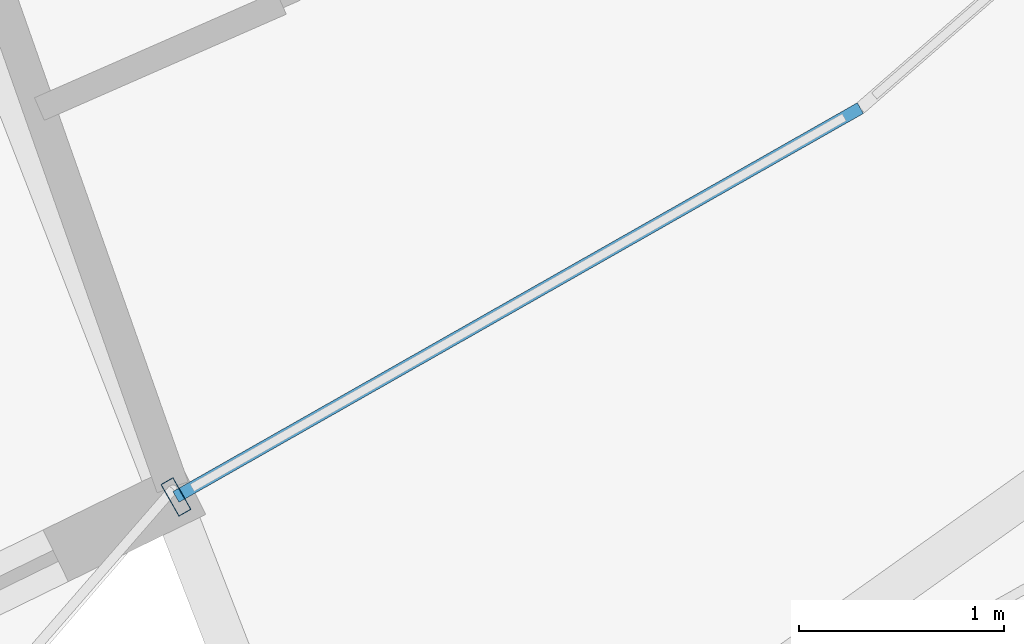
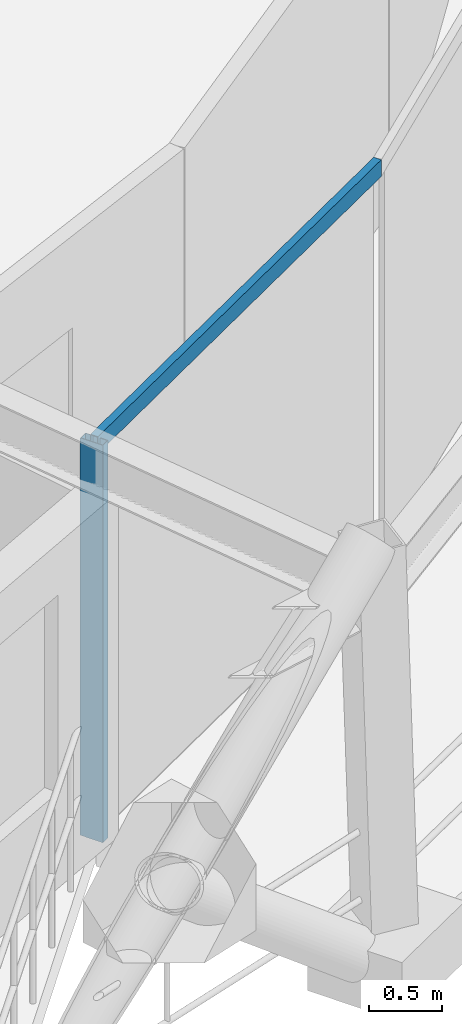
# One storey, part 2 of 15: 2 members, 1 element without a shape of its own.
"""IFC4 building model written with IfcOpenShell, lengths in metres."""

import ifcopenshell
import ifcopenshell.guid

model = None  # the IFC model being written
_history = None  # IfcOwnerHistory: only IFC2X3 demands one
_inside = {}  # id of a spatial element -> (the spatial element, [elements in it])
_under = {}  # id of a project, library or spatial element -> (it, [spatial elements below it])
_declared = {}  # id of a project -> (the project, [libraries it declares])
_typed = {}  # id of a type object -> (the type object, [elements of that type])
_made_of = {}  # id of a material, layer set ... -> (it, [elements and type objects made of it])


def new_model(schema):
    """Start an empty IFC model of exactly this schema.

    Asked for "IFC4X3", IfcOpenShell would pick the latest addendum, in which some entities
    have other attributes; the version numbers below select the first issue.
    IFC2X3 requires an IfcOwnerHistory on every rooted entity: one is made here for all.
    """
    global model, _history
    if schema == "IFC4X3":
        model = ifcopenshell.file(schema_version=(4, 3, 0, 0))
    else:
        model = ifcopenshell.file(schema=schema)
    _inside.clear()
    _under.clear()
    _declared.clear()
    _typed.clear()
    _made_of.clear()
    _history = None
    if model.schema == "IFC2X3":
        org = make("IfcOrganization", Name="unknown")
        user = make(
            "IfcPersonAndOrganization",
            ThePerson=make("IfcPerson", FamilyName="unknown"),
            TheOrganization=org,
        )
        app = make(
            "IfcApplication",
            ApplicationDeveloper=org,
            Version="unknown",
            ApplicationFullName="unknown",
            ApplicationIdentifier="unknown",
        )
        _history = make(
            "IfcOwnerHistory",
            OwningUser=user,
            OwningApplication=app,
            ChangeAction="ADDED",
            CreationDate=0,
        )
    return model


def make(cls, **values):
    """One entity of the class cls with the attributes given. An attribute that is None is left unset."""
    return model.create_entity(
        cls, **{name: value for name, value in values.items() if value is not None}
    )


def rooted(cls, **values):
    """An entity with a GlobalId (a new one), such as an element, a storey or a relation."""
    return make(cls, GlobalId=ifcopenshell.guid.new(), OwnerHistory=_history, **values)


def si_unit(unit_type, name, prefix=None):
    """IfcSIUnit, for example si_unit("LENGTHUNIT", "METRE", prefix="MILLI")."""
    return make("IfcSIUnit", UnitType=unit_type, Prefix=prefix, Name=name)


def assignment(units):
    """IfcUnitAssignment: the units of a project."""
    return None if units is None else make("IfcUnitAssignment", Units=units)


def point(xyz):
    """IfcCartesianPoint."""
    return None if xyz is None else make("IfcCartesianPoint", Coordinates=xyz)


def direction(xyz):
    """IfcDirection."""
    return None if xyz is None else make("IfcDirection", DirectionRatios=xyz)


def frame(location, z_axis=None, x_axis=None):
    """IfcAxis2Placement3D, a coordinate frame: its origin and axes. An axis left out is left unset."""
    return make(
        "IfcAxis2Placement3D",
        Location=point(location),
        Axis=direction(z_axis),
        RefDirection=direction(x_axis),
    )


def frame_2d(location, x_axis=None):
    """IfcAxis2Placement2D, a coordinate frame in the plane: its origin and x axis."""
    return make(
        "IfcAxis2Placement2D", Location=point(location), RefDirection=direction(x_axis)
    )


def origin():
    """The frame at (0, 0, 0) with its axes left unset."""
    return frame((0.0, 0.0, 0.0))


def origin_2d():
    """The frame at (0, 0) in the plane with its x axis left unset."""
    return frame_2d((0.0, 0.0))


def place(relative_to, where):
    """IfcLocalPlacement: puts the frame where relative to a parent placement (None: the world)."""
    return make(
        "IfcLocalPlacement", PlacementRelTo=relative_to, RelativePlacement=where
    )


def context(
    kind, dimensions, precision=None, world=None, true_north=None, identifier=None
):
    """IfcGeometricRepresentationContext, for example the 3D "Model" context."""
    return make(
        "IfcGeometricRepresentationContext",
        ContextIdentifier=identifier,
        ContextType=kind,
        CoordinateSpaceDimension=dimensions,
        Precision=precision,
        WorldCoordinateSystem=world,
        TrueNorth=true_north,
    )


def subcontext(parent, identifier, kind, view, scale=None):
    """IfcGeometricRepresentationSubContext, for example "Body" below "Model"."""
    return make(
        "IfcGeometricRepresentationSubContext",
        ContextIdentifier=identifier,
        ContextType=kind,
        ParentContext=parent,
        TargetScale=scale,
        TargetView=view,
    )


def project(units=None, contexts=None):
    """IfcProject with its units and contexts."""
    return rooted(
        "IfcProject",
        Name="project",
        RepresentationContexts=contexts,
        UnitsInContext=assignment(units),
    )


def spatial(cls, under=None, at=None, **own):
    """A site, building, storey or space (cls), placed at a placement, below another one or the project."""
    s = rooted(cls, ObjectPlacement=at, **own)
    if under is not None:
        _under.setdefault(under.id(), (under, []))[1].append(s)
    return s


def profile(cls, at=None, kind="AREA", **sizes):
    """A parametric profile (cls). Its sizes go by their IFC names, for example OverallWidth=200.0."""
    return make(cls, ProfileType=kind, Position=at, **sizes)


def hollow_rectangle(**sizes):
    """IfcRectangleHollowProfileDef."""
    return profile("IfcRectangleHollowProfileDef", **sizes)


def extrude(swept, where, along, depth):
    """IfcExtrudedAreaSolid: the profile swept, set in the frame where, extruded along a direction by depth."""
    return make(
        "IfcExtrudedAreaSolid",
        SweptArea=swept,
        Position=where,
        ExtrudedDirection=direction(along),
        Depth=depth,
    )


def shape(context_of_items, identifier, shape_type, items):
    """IfcShapeRepresentation: the items that make up one representation, for example the "Body"."""
    return make(
        "IfcShapeRepresentation",
        ContextOfItems=context_of_items,
        RepresentationIdentifier=identifier,
        RepresentationType=shape_type,
        Items=items,
    )


def material(Name=None, Category=None):
    """IfcMaterial."""
    return make("IfcMaterial", Name=Name, Category=Category)


def layer(
    of_material, thickness, ventilated=None, Name=None, Category=None, Priority=None
):
    """IfcMaterialLayer: one layer of a wall or slab, of a material (None: an air gap)."""
    return make(
        "IfcMaterialLayer",
        Material=of_material,
        LayerThickness=thickness,
        IsVentilated=ventilated,
        Name=Name,
        Category=Category,
        Priority=Priority,
    )


def layer_set(layers, Name=None):
    """IfcMaterialLayerSet."""
    return make("IfcMaterialLayerSet", MaterialLayers=layers, LayerSetName=Name)


def material_profile(
    of_material, cross_section, Name=None, Category=None, Priority=None
):
    """IfcMaterialProfile: a cross section and its material."""
    return make(
        "IfcMaterialProfile",
        Name=Name,
        Material=of_material,
        Profile=cross_section,
        Priority=Priority,
        Category=Category,
    )


def profile_set(profiles, Name=None, composite=None):
    """IfcMaterialProfileSet."""
    return make(
        "IfcMaterialProfileSet",
        Name=Name,
        MaterialProfiles=profiles,
        CompositeProfile=composite,
    )


def made_of(thing, what):
    """Note that an element or type object is made of a material, layer set ...; save() writes the relation."""
    if what is not None:
        _made_of.setdefault(what.id(), (what, []))[1].append(thing)
    return thing


def type_object(cls, material=None, **own):
    """A type object (cls), such as IfcWallType, which elements share."""
    return made_of(rooted(cls, **own), material)


def element(
    cls,
    number,
    at=None,
    inside=None,
    cuts=None,
    type_object=None,
    material=None,
    context=None,
    identifier="Body",
    shape_type=None,
    held_by="IfcProductDefinitionShape",
    body=None,
    shapes=None,
    **own,
):
    """One element of the class cls, such as IfcWall. Its Tag is "e" and its number.

    at: its placement. inside: the storey or other place that contains it. cuts: it is an
    opening in that element (IfcRelVoidsElement). A single representation is given by context,
    identifier, shape_type and body (its items); several are given by shapes. held_by: the class
    of the entity that holds the representations. save() writes the other relations.
    """
    e = rooted(cls, Tag="e%d" % number, ObjectPlacement=at, **own)
    if body is not None:
        shapes = [shape(context, identifier, shape_type, body)]
    if shapes is not None:
        e.Representation = make(held_by, Representations=shapes)
    if inside is not None:
        _inside.setdefault(inside.id(), (inside, []))[1].append(e)
    if cuts is not None:
        rooted(
            "IfcRelVoidsElement", RelatingBuildingElement=cuts, RelatedOpeningElement=e
        )
    if type_object is not None:
        _typed.setdefault(type_object.id(), (type_object, []))[1].append(e)
    return made_of(e, material)


def aggregate(whole, parts):
    """IfcRelAggregates: a whole, such as a stair, and the parts it consists of."""
    return rooted("IfcRelAggregates", RelatingObject=whole, RelatedObjects=parts)


def save(model, path):
    """Write the relations noted so far, then the file.

    IfcRelAggregates (storeys below a building ...), IfcRelContainedInSpatialStructure (elements
    in a storey), IfcRelDefinesByType, IfcRelAssociatesMaterial and IfcRelDeclares: one each for
    every whole, place, type object, material and project.
    """
    for whole, parts in _under.values():
        aggregate(whole, parts)
    for where, things in _inside.values():
        rooted(
            "IfcRelContainedInSpatialStructure",
            RelatedElements=things,
            RelatingStructure=where,
        )
    for kind, things in _typed.values():
        rooted("IfcRelDefinesByType", RelatedObjects=things, RelatingType=kind)
    for what, things in _made_of.values():
        rooted("IfcRelAssociatesMaterial", RelatedObjects=things, RelatingMaterial=what)
    for by, libraries in _declared.values():
        rooted("IfcRelDeclares", RelatingContext=by, RelatedDefinitions=libraries)
    model.write(path)


model = new_model("IFC4")

# Units and contexts
model_context = context("Model", 3, precision=1e-05, world=origin(), true_north=direction((0.0, 1.0)))
body_context = subcontext(model_context, "Body", "Model", "MODEL_VIEW")
ifc_project = project(units=[si_unit("LENGTHUNIT", "METRE"), si_unit("AREAUNIT", "SQUARE_METRE"), si_unit("VOLUMEUNIT", "CUBIC_METRE"), si_unit("PLANEANGLEUNIT", "RADIAN"), si_unit("MASSUNIT", "GRAM", prefix="KILO")], contexts=[model_context])

# Site, building, storey
site_placement = place(None, origin())
site = spatial("IfcSite", under=ifc_project, at=site_placement, CompositionType="ELEMENT")
building_placement = place(site_placement, origin())
building = spatial("IfcBuilding", under=site, at=building_placement, Name="Veldorina Hangang Commons", CompositionType="ELEMENT")
storey_placement = place(building_placement, frame((0.0, 0.0, 265.199951171875)))
storey = spatial("IfcBuildingStorey", under=building, at=storey_placement, Name="L69", CompositionType="ELEMENT", Elevation=265.199951171875)

# Curtain wall, members
ifc_material_1 = material(Name="Glass Low-E Selective", Category="glass")
ifc_layer = layer(ifc_material_1, 0.179931640625)
ifc_layer_set = layer_set([ifc_layer], Name="Glass Low-E Selective")
curtain_wall_type = type_object("IfcCurtainWallType", Name="CW-SYS-Z3", PredefinedType="NOTDEFINED", material=ifc_layer_set)
curtain_wall_placement = place(storey_placement, origin())
curtain_wall = element("IfcCurtainWall", 1, at=curtain_wall_placement, inside=storey, type_object=curtain_wall_type, Name="L69 unitised curtain wall CW-L69-R1", PredefinedType="NOTDEFINED")
ifc_material_2 = material(Name="Aluminium Anodized AA6063-T6", Category="aluminium")
ifc_material_profile_1 = material_profile(ifc_material_2, hollow_rectangle(XDim=0.070068359375, YDim=0.179931640625, WallThickness=0.00390625, at=origin_2d()), Name="ALU-RHS-180x70x4")
ifc_profile_set_1 = profile_set([ifc_material_profile_1], Name="Aluminium Anodized AA6063-T6")
member_type_1 = type_object("IfcMemberType", Name="CW-MUL-180", PredefinedType="MULLION", material=ifc_profile_set_1)
member_1_placement = place(storey_placement, frame((39.376708984375, 5.070556640625, 0.0), z_axis=(0.0, 0.0, 1.0), x_axis=(0.869469065578, 0.493987392555, 0.0)))
member_1 = element("IfcMember", 2, at=member_1_placement, type_object=member_type_1, Name="CW-L69-R1 vertical mullion 1", PredefinedType="MULLION", context=body_context, shape_type="SweptSolid", body=[
    extrude(hollow_rectangle(XDim=0.070068359375, YDim=0.179931640625, WallThickness=0.00390625, at=origin_2d()), origin(), (0.0, 0.0, 1.0), 3.320068359375),
])
ifc_material_profile_2 = material_profile(ifc_material_2, hollow_rectangle(XDim=0.06005859375, YDim=0.139892578125, WallThickness=0.00341796875, at=origin_2d()), Name="ALU-RHS-140x60x3.5")
ifc_profile_set_2 = profile_set([ifc_material_profile_2], Name="Aluminium Anodized AA6063-T6")
member_type_2 = type_object("IfcMemberType", Name="CW-TRN-140", PredefinedType="USERDEFINED", material=ifc_profile_set_2)
member_2_placement = place(storey_placement, frame((39.376708984375, 5.070556640625, 3.280029296875), z_axis=(0.869490752751, 0.493949218928, 0.0), x_axis=(-0.493949218928, 0.869490752751, 0.0)))
member_2 = element("IfcMember", 3, at=member_2_placement, type_object=member_type_2, Name="CW-L69-R1 facet 1 transom 1", ObjectType="TRANSOM", PredefinedType="USERDEFINED", context=body_context, shape_type="SweptSolid", body=[
    extrude(hollow_rectangle(XDim=0.06005859375, YDim=0.139892578125, WallThickness=0.00341796875, at=origin_2d()), origin(), (0.0, 0.0, 1.0), 3.8330078125),
])
aggregate(curtain_wall, [member_1, member_2])

save(model, "model.ifc")
